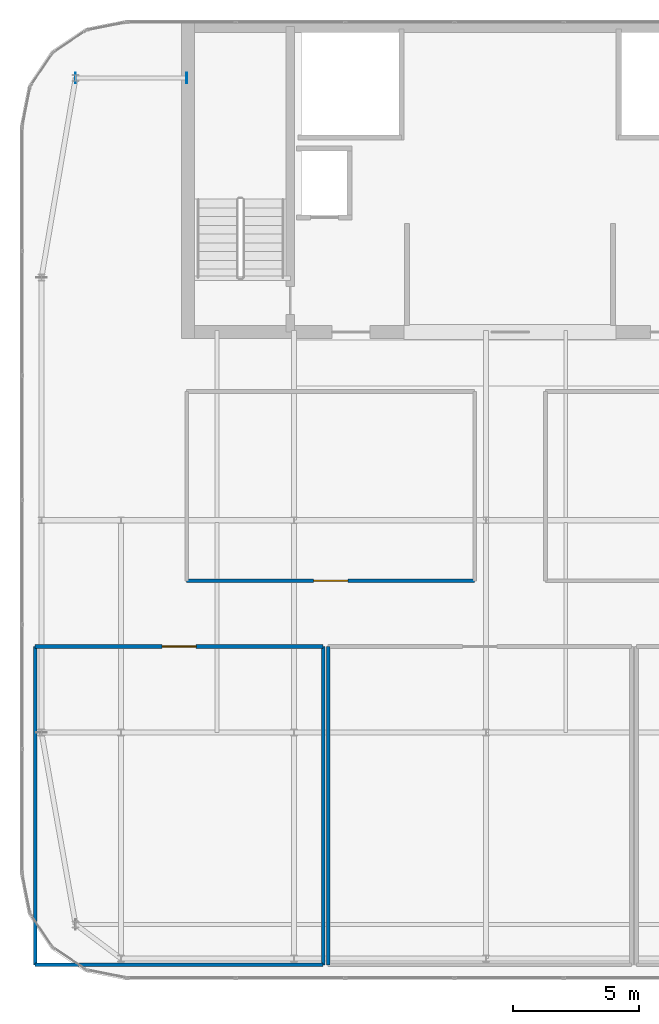
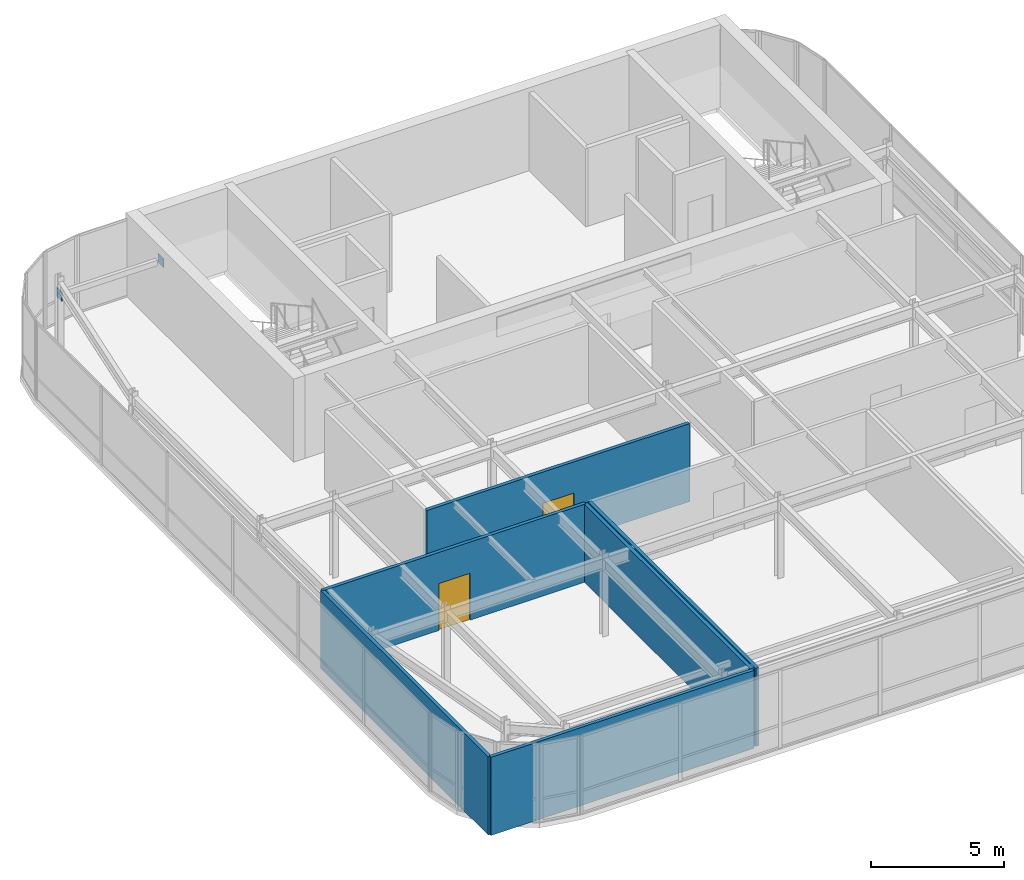
# One storey, part 33 of 36: 6 walls, 2 doors, 2 plates, 2 openings.
"""IFC4 building model written with IfcOpenShell, lengths in metres."""

from ifc_helpers import new_model, si_unit, direction, frame, frame_2d, origin, origin_2d, place, context, subcontext, project, spatial, rectangle, extrude, source, transform, mapped, material, layer, layer_set, type_object, type_shapes, element, fill, save


model = new_model("IFC4")

# Units and contexts
model_context = context("Model", 3, precision=1e-05, world=origin(), true_north=direction((0.0, 1.0)))
body_context = subcontext(model_context, "Body", "Model", "MODEL_VIEW")
ifc_project = project(units=[si_unit("LENGTHUNIT", "METRE"), si_unit("AREAUNIT", "SQUARE_METRE"), si_unit("VOLUMEUNIT", "CUBIC_METRE"), si_unit("PLANEANGLEUNIT", "RADIAN"), si_unit("MASSUNIT", "GRAM", prefix="KILO")], contexts=[model_context])

# Site, building, storey
site_placement = place(None, origin())
site = spatial("IfcSite", under=ifc_project, at=site_placement, CompositionType="ELEMENT")
building_placement = place(site_placement, origin())
building = spatial("IfcBuilding", under=site, at=building_placement, Name="Tolvann Quenvar Hotel", CompositionType="ELEMENT")
storey_placement = place(building_placement, frame((0.0, 0.0, 302.35009765625)))
storey = spatial("IfcBuildingStorey", under=building, at=storey_placement, Name="L80", CompositionType="ELEMENT", Elevation=302.35009765625)

# Plates
ifc_material_1 = material(Name="Steel Grade 350", Category="steel")
ifc_layer_1 = layer(ifc_material_1, 0.02490234375)
ifc_layer_set_1 = layer_set([ifc_layer_1], Name="Steel Grade 350")
plate_type = type_object("IfcPlateType", Name="PLT_ENDCAP_25", PredefinedType="SHEET", material=ifc_layer_set_1)
shared_shape_1 = source(origin(), body_context, "Body", "SweptSolid", [
    extrude(rectangle(XDim=0.02490234375, YDim=0.419921875, at=origin_2d()), origin(), (0.0, 0.0, 1.0), 0.419921875),
])
type_shapes(plate_type, [shared_shape_1])
for number, where, z_axis, x_axis, name in (
    (1, (5.800048828125, 41.89990234375, 2.719970703125), (0.0, 0.0, 1.0), (1.0, 0.0, 0.0), "Crown Ring End Cap Plate EC-1 (L80-4-1)"),
    (2, (10.199951171875, 41.89990234375, 2.719970703125), (0.0, 0.0, 1.0), (1.0, 0.0, 0.0), "Crown Ring End Cap Plate EC-1 (L80-4-2)"),
):
    element("IfcPlate", number, at=place(storey_placement, frame(where, z_axis=z_axis, x_axis=x_axis)), inside=storey, type_object=plate_type, Name=name, PredefinedType="SHEET", context=body_context, shape_type="MappedRepresentation", body=[
        mapped(shared_shape_1, transform((0.0, 0.0, 0.0), x_axis=(1.0, 0.0, 0.0), y_axis=(0.0, 1.0, 0.0), z_axis=(0.0, 0.0, 1.0), scale=1.0)),
    ])

# Wall
ifc_material_2 = material(Name="Acoustic twin-stud fire-rated gypsum plasterboard partition")
ifc_layer_2 = layer(ifc_material_2, 0.14990234375)
ifc_layer_set_2 = layer_set([ifc_layer_2], Name="Acoustic twin-stud fire-rated gypsum plasterboard partition")
wall_type = type_object("IfcWallType", Name="WALL_PART_SUITE_150", PredefinedType="PARTITIONING", material=ifc_layer_set_2)
wall_1_placement = place(storey_placement, frame((4.199951171875, 6.800048828125, 0.0), z_axis=(0.0, 0.0, 1.0), x_axis=(1.0, 0.0, 0.0)))
element("IfcWall", 3, at=wall_1_placement, inside=storey, type_object=wall_type, Name="Interior Partition PT-SPC-L80-AHUC-S", PredefinedType="PARTITIONING", context=body_context, shape_type="SweptSolid", body=[
    extrude(rectangle(XDim=11.400146484375, YDim=0.14990234375, at=frame_2d((5.7001953125, 0.0))), origin(), (0.0, 0.0, 1.0), 3.579833984375),
])

# Wall, opening, door
wall_2_placement = place(storey_placement, frame((4.199951171875, 19.39990234375, 0.0), z_axis=(0.0, 0.0, 1.0), x_axis=(1.0, 0.0, 0.0)))
wall_2 = element("IfcWall", 4, at=wall_2_placement, inside=storey, type_object=wall_type, Name="Interior Partition PT-SPC-L80-AHUC-N", PredefinedType="PARTITIONING", context=body_context, shape_type="SweptSolid", body=[
    extrude(rectangle(XDim=11.400146484375, YDim=0.14990234375, at=frame_2d((5.7001953125, 0.0))), origin(), (0.0, 0.0, 1.0), 3.579833984375),
])
opening_1_placement = place(wall_2_placement, frame((5.02490234375, 0.0, 0.0)))
opening_1 = element("IfcOpeningElement", 5, at=opening_1_placement, cuts=wall_2, Name="Opening PD-01", PredefinedType="OPENING", context=body_context, shape_type="SweptSolid", body=[
    extrude(rectangle(XDim=1.35009765625, YDim=2.14990234375, at=frame_2d((0.675048828125, 1.074951171875))), frame((0.0, 0.0849609375, 0.0), z_axis=(0.0, -1.0, 0.0), x_axis=(1.0, 0.0, 0.0)), (0.0, 0.0, 1.0), 0.169921875),
])
ifc_material_3 = material(Name="Pressed galvanised steel fire-rated door set", Category="steel")
door_type = type_object("IfcDoorType", Name="DOOR_PLANT_1350", OperationType="NOTDEFINED", PredefinedType="DOOR", material=ifc_material_3)
shared_shape_2 = source(origin(), body_context, "Body", "SweptSolid", [
    extrude(rectangle(XDim=1.35009765625, YDim=2.14990234375, at=frame_2d((0.675048828125, 1.074951171875))), frame((0.0, 0.02490234375, 0.0), z_axis=(0.0, -1.0, 0.0), x_axis=(1.0, 0.0, 0.0)), (0.0, 0.0, 1.0), 0.050048828125),
])
type_shapes(door_type, [shared_shape_2])
door_1_placement = place(opening_1_placement, origin())
door_1 = element("IfcDoor", 6, at=door_1_placement, inside=storey, type_object=door_type, Name="Interior Door DOOR-SPC-L80-AHUC", OperationType="DOUBLE_DOOR_SINGLE_SWING", OverallHeight=2.14990234375, OverallWidth=1.35009765625, PredefinedType="DOOR", context=body_context, shape_type="MappedRepresentation", body=[
    mapped(shared_shape_2, transform((0.0, 0.0, 0.0), x_axis=(1.0, 0.0, 0.0), y_axis=(0.0, 1.0, 0.0), z_axis=(0.0, 0.0, 1.0), scale=1.0)),
])
fill(opening_1, door_1)

# Walls
for number, where, z_axis, x_axis, name in (
    (7, (4.199951171875, 6.800048828125, 0.0), (0.0, 0.0, 1.0), (0.0, 1.0, 0.0), "Interior Partition PT-SPC-L80-AHUC-W"),
    (8, (15.60009765625, 6.800048828125, 0.0), (0.0, 0.0, 1.0), (0.0, 1.0, 0.0), "Interior Partition PT-SPC-L80-AHUC-E"),
    (9, (15.800048828125, 6.800048828125, 0.0), (0.0, 0.0, 1.0), (0.0, 1.0, 0.0), "Interior Partition PT-SPC-L80-HRC-W"),
):
    element("IfcWall", number, at=place(storey_placement, frame(where, z_axis=z_axis, x_axis=x_axis)), inside=storey, type_object=wall_type, Name=name, PredefinedType="PARTITIONING", context=body_context, shape_type="SweptSolid", body=[
        extrude(rectangle(XDim=12.599853515625, YDim=0.14990234375, at=frame_2d((6.2998046875, 0.0))), origin(), (0.0, 0.0, 1.0), 3.579833984375),
    ])

# Wall, opening, door
wall_3_placement = place(storey_placement, frame((10.199951171875, 22.0, 0.0), z_axis=(0.0, 0.0, 1.0), x_axis=(1.0, 0.0, 0.0)))
wall_3 = element("IfcWall", 10, at=wall_3_placement, inside=storey, type_object=wall_type, Name="Interior Partition PT-SPC-L80-MNT-S", PredefinedType="PARTITIONING", context=body_context, shape_type="SweptSolid", body=[
    extrude(rectangle(XDim=11.400146484375, YDim=0.14990234375, at=frame_2d((5.7001953125, 0.0))), origin(), (0.0, 0.0, 1.0), 3.579833984375),
])
opening_2_placement = place(wall_3_placement, frame((5.02490234375, 0.0, 0.0)))
opening_2 = element("IfcOpeningElement", 11, at=opening_2_placement, cuts=wall_3, Name="Opening PD-01", PredefinedType="OPENING", context=body_context, shape_type="SweptSolid", body=[
    extrude(rectangle(XDim=1.35009765625, YDim=2.14990234375, at=frame_2d((0.675048828125, 1.074951171875))), frame((0.0, 0.0849609375, 0.0), z_axis=(0.0, -1.0, 0.0), x_axis=(1.0, 0.0, 0.0)), (0.0, 0.0, 1.0), 0.169921875),
])
door_2_placement = place(opening_2_placement, origin())
door_2 = element("IfcDoor", 12, at=door_2_placement, inside=storey, type_object=door_type, Name="Interior Door DOOR-SPC-L80-MNT", OperationType="DOUBLE_DOOR_SINGLE_SWING", OverallHeight=2.14990234375, OverallWidth=1.35009765625, PredefinedType="DOOR", context=body_context, shape_type="MappedRepresentation", body=[
    mapped(shared_shape_2, transform((0.0, 0.0, 0.0), x_axis=(1.0, 0.0, 0.0), y_axis=(0.0, 1.0, 0.0), z_axis=(0.0, 0.0, 1.0), scale=1.0)),
])
fill(opening_2, door_2)

save(model, "model.ifc")
